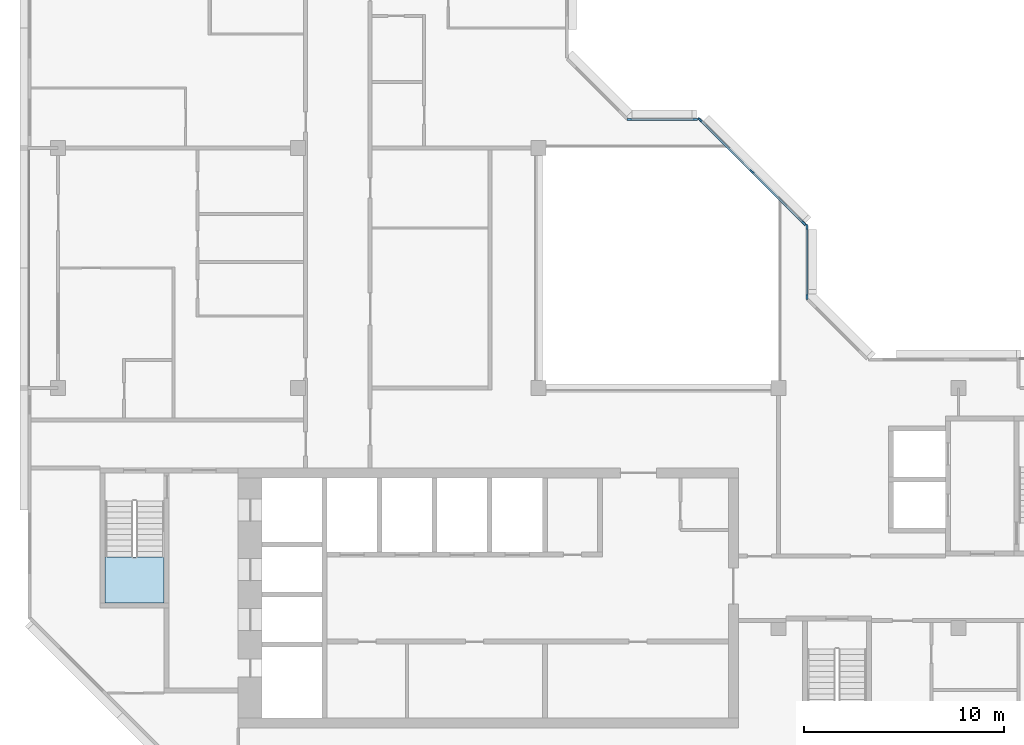
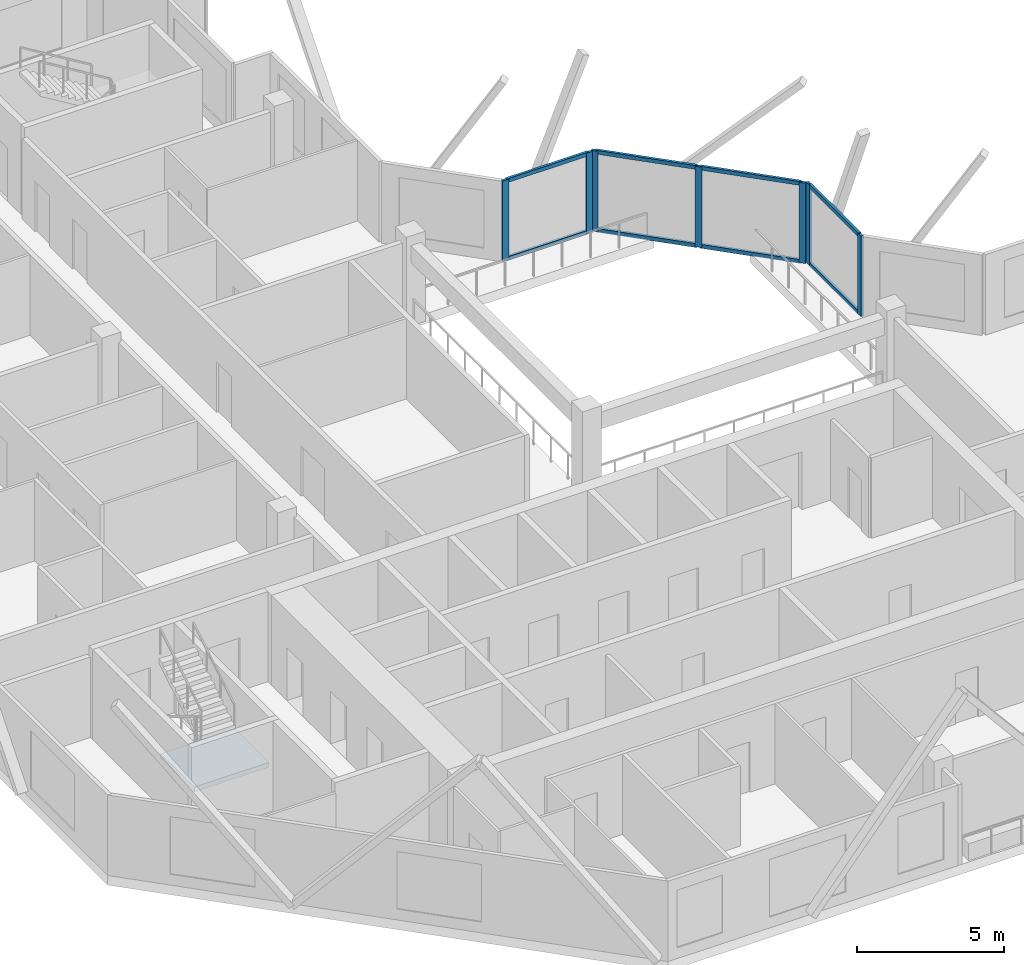
# One storey, part 2 of 12: 15 members, 1 slab, 4 elements without a shape of their own.
"""IFC4 building model written with IfcOpenShell, lengths in metres."""

from ifc_helpers import new_model, si_unit, direction, frame, origin, origin_2d, place, context, subcontext, project, spatial, polyline, rectangle, outline, extrude, material, layer, layer_set, material_profile, profile_set, type_object, element, aggregate, save


model = new_model("IFC4")

# Units and contexts
model_context = context("Model", 3, precision=1e-05, world=origin(), true_north=direction((0.0, 1.0)))
body_context = subcontext(model_context, "Body", "Model", "MODEL_VIEW")
ifc_project = project(units=[si_unit("LENGTHUNIT", "METRE"), si_unit("AREAUNIT", "SQUARE_METRE"), si_unit("VOLUMEUNIT", "CUBIC_METRE"), si_unit("PLANEANGLEUNIT", "RADIAN"), si_unit("MASSUNIT", "GRAM", prefix="KILO")], contexts=[model_context])

# Site, building, storey
site_placement = place(None, origin())
site = spatial("IfcSite", under=ifc_project, at=site_placement, CompositionType="ELEMENT")
building_placement = place(site_placement, origin())
building = spatial("IfcBuilding", under=site, at=building_placement, Name="Chenar Terraces", CompositionType="ELEMENT")
storey_placement = place(building_placement, frame((0.0, 0.0, 368.89990234375)))
storey = spatial("IfcBuildingStorey", under=building, at=storey_placement, Name="L86", CompositionType="ELEMENT", Elevation=368.89990234375)

# Curtain wall, members
ifc_material_1 = material(Name="Aluminium framed glazing", Category="aluminium")
ifc_layer_1 = layer(ifc_material_1, 0.14990234375)
ifc_layer_set_1 = layer_set([ifc_layer_1], Name="Aluminium framed glazing")
curtain_wall_type = type_object("IfcCurtainWallType", Name="Atrium upper-zone curtain wall", PredefinedType="NOTDEFINED", material=ifc_layer_set_1)
placement = place(storey_placement, origin())
curtain_wall_1 = element("IfcCurtainWall", 1, at=placement, inside=storey, type_object=curtain_wall_type, Name="Atrium upper-zone curtain wall", PredefinedType="NOTDEFINED")
ifc_material_2 = material(Name="Aluminium", Category="aluminium")
ifc_material_profile_1 = material_profile(ifc_material_2, rectangle(XDim=0.10009765625, YDim=0.239990234375, at=origin_2d()), Name="Atrium upper-zone glazing mullion 100 x 240")
ifc_profile_set_1 = profile_set([ifc_material_profile_1], Name="Aluminium")
member_type_1 = type_object("IfcMemberType", Name="Atrium upper-zone glazing mullion 100 x 240", PredefinedType="MULLION", material=ifc_profile_set_1)
member_1_placement = place(storey_placement, frame((37.425048828125, 28.550048828125, 0.0), z_axis=(0.0, 0.0, 1.0), x_axis=(-1.0, 0.0, 0.0)))
member_1 = element("IfcMember", 2, at=member_1_placement, type_object=member_type_1, Name="CW8-1 mullion 1", PredefinedType="MULLION", context=body_context, shape_type="SweptSolid", body=[
    extrude(rectangle(XDim=0.10009765625, YDim=0.239990234375, at=origin_2d()), origin(), (0.0, 0.0, 1.0), 3.35009765625),
])
member_2_placement = place(storey_placement, frame((37.425048828125, 32.050048828125, 0.0), z_axis=(0.0, 0.0, 1.0), x_axis=(-1.0, 0.0, 0.0)))
member_2 = element("IfcMember", 3, at=member_2_placement, type_object=member_type_1, Name="CW8-1 mullion 2", PredefinedType="MULLION", context=body_context, shape_type="SweptSolid", body=[
    extrude(rectangle(XDim=0.10009765625, YDim=0.239990234375, at=origin_2d()), origin(), (0.0, 0.0, 1.0), 3.35009765625),
])

curtain_wall_2 = element("IfcCurtainWall", 4, at=placement, inside=storey, type_object=curtain_wall_type, Name="Atrium upper-zone curtain wall", PredefinedType="NOTDEFINED")
member_3_placement = place(storey_placement, frame((37.270263671875, 32.2236328125, 0.0), z_axis=(0.0, 0.0, 1.0), x_axis=(-0.707106781187, -0.707106781187, 0.0)))
member_3 = element("IfcMember", 5, at=member_3_placement, type_object=member_type_1, Name="CW8-2 mullion 1", PredefinedType="MULLION", context=body_context, shape_type="SweptSolid", body=[
    extrude(rectangle(XDim=0.10009765625, YDim=0.239990234375, at=origin_2d()), origin(), (0.0, 0.0, 1.0), 3.35009765625),
])
member_4_placement = place(storey_placement, frame((34.67626953125, 34.817626953125, 0.0), z_axis=(0.0, 0.0, 1.0), x_axis=(-0.707106781187, -0.707106781187, 0.0)))
member_4 = element("IfcMember", 6, at=member_4_placement, type_object=member_type_1, Name="CW8-2 mullion 2", PredefinedType="MULLION", context=body_context, shape_type="SweptSolid", body=[
    extrude(rectangle(XDim=0.10009765625, YDim=0.239990234375, at=origin_2d()), origin(), (0.0, 0.0, 1.0), 3.35009765625),
])
member_5_placement = place(storey_placement, frame((32.082275390625, 37.41162109375, 0.0), z_axis=(0.0, 0.0, 1.0), x_axis=(-0.707106781187, -0.707106781187, 0.0)))
member_5 = element("IfcMember", 7, at=member_5_placement, type_object=member_type_1, Name="CW8-2 mullion 3", PredefinedType="MULLION", context=body_context, shape_type="SweptSolid", body=[
    extrude(rectangle(XDim=0.10009765625, YDim=0.239990234375, at=origin_2d()), origin(), (0.0, 0.0, 1.0), 3.35009765625),
])

curtain_wall_3 = element("IfcCurtainWall", 8, at=placement, inside=storey, type_object=curtain_wall_type, Name="Atrium upper-zone curtain wall", PredefinedType="NOTDEFINED")
member_6_placement = place(storey_placement, frame((31.85009765625, 37.425048828125, 0.0), z_axis=(0.0, 0.0, 1.0), x_axis=(0.0, -1.0, 0.0)))
member_6 = element("IfcMember", 9, at=member_6_placement, type_object=member_type_1, Name="CW8-3 mullion 1", PredefinedType="MULLION", context=body_context, shape_type="SweptSolid", body=[
    extrude(rectangle(XDim=0.10009765625, YDim=0.239990234375, at=origin_2d()), origin(), (0.0, 0.0, 1.0), 3.35009765625),
])
member_7_placement = place(storey_placement, frame((28.550048828125, 37.425048828125, 0.0), z_axis=(0.0, 0.0, 1.0), x_axis=(0.0, -1.0, 0.0)))
member_7 = element("IfcMember", 10, at=member_7_placement, type_object=member_type_1, Name="CW8-3 mullion 2", PredefinedType="MULLION", context=body_context, shape_type="SweptSolid", body=[
    extrude(rectangle(XDim=0.10009765625, YDim=0.239990234375, at=origin_2d()), origin(), (0.0, 0.0, 1.0), 3.35009765625),
])

# Member
ifc_material_3 = material(Name="Aluminium", Category="aluminium")
ifc_material_profile_2 = material_profile(ifc_material_3, rectangle(XDim=0.10009765625, YDim=0.159912109375, at=origin_2d()), Name="Atrium upper-zone glazing transom 100 x 160")
ifc_profile_set_2 = profile_set([ifc_material_profile_2], Name="Aluminium")
member_type_2 = type_object("IfcMemberType", Name="Atrium upper-zone glazing transom 100 x 160", PredefinedType="USERDEFINED", material=ifc_profile_set_2)
member_8_placement = place(storey_placement, frame((37.425048828125, 28.60009765625, 0.050048828125), z_axis=(0.0, 1.0, 0.0), x_axis=(-1.0, 0.0, 0.0)))
member_8 = element("IfcMember", 11, at=member_8_placement, type_object=member_type_2, Name="CW8-1 transom 1.1", ObjectType="TRANSOM", PredefinedType="USERDEFINED", context=body_context, shape_type="SweptSolid", body=[
    extrude(rectangle(XDim=0.10009765625, YDim=0.159912109375, at=origin_2d()), origin(), (0.0, 0.0, 1.0), 3.39990234375),
])

member_9_placement = place(storey_placement, frame((37.425048828125, 28.60009765625, 3.300048828125), z_axis=(0.0, 1.0, 0.0), x_axis=(-1.0, 0.0, 0.0)))
member_9 = element("IfcMember", 12, at=member_9_placement, type_object=member_type_2, Name="CW8-1 transom 1.2", ObjectType="TRANSOM", PredefinedType="USERDEFINED", context=body_context, shape_type="SweptSolid", body=[
    extrude(rectangle(XDim=0.10009765625, YDim=0.159912109375, at=origin_2d()), origin(), (0.0, 0.0, 1.0), 3.39990234375),
])

aggregate(curtain_wall_1, [member_1, member_2, member_8, member_9])

member_10_placement = place(storey_placement, frame((37.23486328125, 32.259033203125, 0.050048828125), z_axis=(-0.707106781187, 0.707106781187, 0.0), x_axis=(-0.707106781187, -0.707106781187, 0.0)))
member_10 = element("IfcMember", 13, at=member_10_placement, type_object=member_type_2, Name="CW8-2 transom 1.1", ObjectType="TRANSOM", PredefinedType="USERDEFINED", context=body_context, shape_type="SweptSolid", body=[
    extrude(rectangle(XDim=0.10009765625, YDim=0.159912109375, at=origin_2d()), origin(), (0.0, 0.0, 1.0), 3.568359375),
])

member_11_placement = place(storey_placement, frame((37.23486328125, 32.259033203125, 3.300048828125), z_axis=(-0.707106781187, 0.707106781187, 0.0), x_axis=(-0.707106781187, -0.707106781187, 0.0)))
member_11 = element("IfcMember", 14, at=member_11_placement, type_object=member_type_2, Name="CW8-2 transom 1.2", ObjectType="TRANSOM", PredefinedType="USERDEFINED", context=body_context, shape_type="SweptSolid", body=[
    extrude(rectangle(XDim=0.10009765625, YDim=0.159912109375, at=origin_2d()), origin(), (0.0, 0.0, 1.0), 3.568359375),
])

member_12_placement = place(storey_placement, frame((34.640869140625, 34.85302734375, 0.050048828125), z_axis=(-0.707106781187, 0.707106781187, 0.0), x_axis=(-0.707106781187, -0.707106781187, 0.0)))
member_12 = element("IfcMember", 15, at=member_12_placement, type_object=member_type_2, Name="CW8-2 transom 2.1", ObjectType="TRANSOM", PredefinedType="USERDEFINED", context=body_context, shape_type="SweptSolid", body=[
    extrude(rectangle(XDim=0.10009765625, YDim=0.159912109375, at=origin_2d()), origin(), (0.0, 0.0, 1.0), 3.568359375),
])

member_13_placement = place(storey_placement, frame((34.640869140625, 34.85302734375, 3.300048828125), z_axis=(-0.707106781187, 0.707106781187, 0.0), x_axis=(-0.707106781187, -0.707106781187, 0.0)))
member_13 = element("IfcMember", 16, at=member_13_placement, type_object=member_type_2, Name="CW8-2 transom 2.2", ObjectType="TRANSOM", PredefinedType="USERDEFINED", context=body_context, shape_type="SweptSolid", body=[
    extrude(rectangle(XDim=0.10009765625, YDim=0.159912109375, at=origin_2d()), origin(), (0.0, 0.0, 1.0), 3.568359375),
])

aggregate(curtain_wall_2, [member_3, member_4, member_5, member_10, member_11, member_12, member_13])

member_14_placement = place(storey_placement, frame((31.800048828125, 37.425048828125, 0.050048828125), z_axis=(-1.0, 0.0, 0.0), x_axis=(0.0, -1.0, 0.0)))
member_14 = element("IfcMember", 17, at=member_14_placement, type_object=member_type_2, Name="CW8-3 transom 1.1", ObjectType="TRANSOM", PredefinedType="USERDEFINED", context=body_context, shape_type="SweptSolid", body=[
    extrude(rectangle(XDim=0.10009765625, YDim=0.159912109375, at=origin_2d()), origin(), (0.0, 0.0, 1.0), 3.199951171875),
])

member_15_placement = place(storey_placement, frame((31.800048828125, 37.425048828125, 3.300048828125), z_axis=(-1.0, 0.0, 0.0), x_axis=(0.0, -1.0, 0.0)))
member_15 = element("IfcMember", 18, at=member_15_placement, type_object=member_type_2, Name="CW8-3 transom 1.2", ObjectType="TRANSOM", PredefinedType="USERDEFINED", context=body_context, shape_type="SweptSolid", body=[
    extrude(rectangle(XDim=0.10009765625, YDim=0.159912109375, at=origin_2d()), origin(), (0.0, 0.0, 1.0), 3.199951171875),
])

aggregate(curtain_wall_3, [member_6, member_7, member_14, member_15])

# Stair, slab
ifc_material_4 = material(Name="Reinforced concrete C40/50", Category="concrete")
stair_type = type_object("IfcStairType", Name="Core stair 1400 half-turn", PredefinedType="HALF_TURN_STAIR", material=ifc_material_4)
stair = element("IfcStair", 19, at=placement, inside=storey, type_object=stair_type, Name="L86 Stair 1", PredefinedType="HALF_TURN_STAIR")
ifc_material_5 = material(Name="Reinforced concrete C40/50", Category="concrete")
ifc_layer_2 = layer(ifc_material_5, 0.199951171875)
ifc_layer_set_2 = layer_set([ifc_layer_2], Name="Reinforced concrete C40/50")
slab_type = type_object("IfcSlabType", Name="Core stair landing 200", PredefinedType="LANDING", material=ifc_layer_set_2)
slab_placement = place(storey_placement, frame((0.0, 0.0, 1.675048828125)))
slab = element("IfcSlab", 20, at=slab_placement, type_object=slab_type, Name="ST1 landing 1", PredefinedType="LANDING", context=body_context, shape_type="SweptSolid", body=[
    extrude(outline(polyline([(2.35009765625, 15.550048828125), (2.35009765625, 13.25), (5.300048828125, 13.25), (5.300048828125, 15.550048828125), (2.35009765625, 15.550048828125)])), origin(), (0.0, 0.0, 1.0), 0.199951171875),
])
aggregate(stair, [slab])

save(model, "model.ifc")
